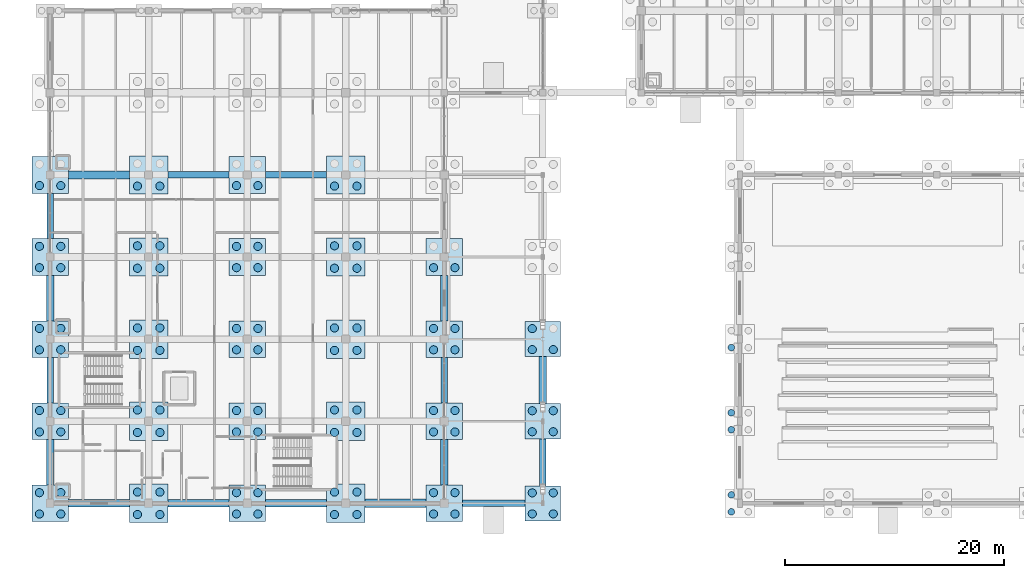
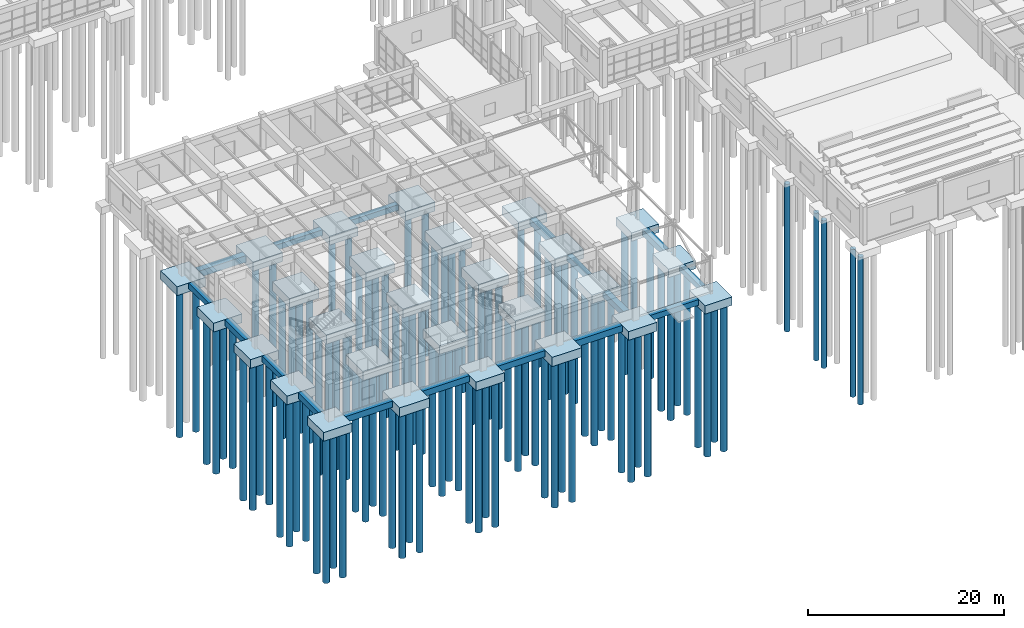
# One storey, part 1 of 93: 102 piles, 44 footings.
"""IFC4 building model written with IfcOpenShell, lengths in metres."""

import ifcopenshell
import ifcopenshell.guid

model = None  # the IFC model being written
_history = None  # IfcOwnerHistory: only IFC2X3 demands one
_inside = {}  # id of a spatial element -> (the spatial element, [elements in it])
_under = {}  # id of a project, library or spatial element -> (it, [spatial elements below it])
_declared = {}  # id of a project -> (the project, [libraries it declares])
_typed = {}  # id of a type object -> (the type object, [elements of that type])
_made_of = {}  # id of a material, layer set ... -> (it, [elements and type objects made of it])


def new_model(schema):
    """Start an empty IFC model of exactly this schema.

    Asked for "IFC4X3", IfcOpenShell would pick the latest addendum, in which some entities
    have other attributes; the version numbers below select the first issue.
    IFC2X3 requires an IfcOwnerHistory on every rooted entity: one is made here for all.
    """
    global model, _history
    if schema == "IFC4X3":
        model = ifcopenshell.file(schema_version=(4, 3, 0, 0))
    else:
        model = ifcopenshell.file(schema=schema)
    _inside.clear()
    _under.clear()
    _declared.clear()
    _typed.clear()
    _made_of.clear()
    _history = None
    if model.schema == "IFC2X3":
        org = make("IfcOrganization", Name="unknown")
        user = make(
            "IfcPersonAndOrganization",
            ThePerson=make("IfcPerson", FamilyName="unknown"),
            TheOrganization=org,
        )
        app = make(
            "IfcApplication",
            ApplicationDeveloper=org,
            Version="unknown",
            ApplicationFullName="unknown",
            ApplicationIdentifier="unknown",
        )
        _history = make(
            "IfcOwnerHistory",
            OwningUser=user,
            OwningApplication=app,
            ChangeAction="ADDED",
            CreationDate=0,
        )
    return model


def make(cls, **values):
    """One entity of the class cls with the attributes given. An attribute that is None is left unset."""
    return model.create_entity(
        cls, **{name: value for name, value in values.items() if value is not None}
    )


def rooted(cls, **values):
    """An entity with a GlobalId (a new one), such as an element, a storey or a relation."""
    return make(cls, GlobalId=ifcopenshell.guid.new(), OwnerHistory=_history, **values)


def si_unit(unit_type, name, prefix=None):
    """IfcSIUnit, for example si_unit("LENGTHUNIT", "METRE", prefix="MILLI")."""
    return make("IfcSIUnit", UnitType=unit_type, Prefix=prefix, Name=name)


def assignment(units):
    """IfcUnitAssignment: the units of a project."""
    return None if units is None else make("IfcUnitAssignment", Units=units)


def point(xyz):
    """IfcCartesianPoint."""
    return None if xyz is None else make("IfcCartesianPoint", Coordinates=xyz)


def direction(xyz):
    """IfcDirection."""
    return None if xyz is None else make("IfcDirection", DirectionRatios=xyz)


def frame(location, z_axis=None, x_axis=None):
    """IfcAxis2Placement3D, a coordinate frame: its origin and axes. An axis left out is left unset."""
    return make(
        "IfcAxis2Placement3D",
        Location=point(location),
        Axis=direction(z_axis),
        RefDirection=direction(x_axis),
    )


def frame_2d(location, x_axis=None):
    """IfcAxis2Placement2D, a coordinate frame in the plane: its origin and x axis."""
    return make(
        "IfcAxis2Placement2D", Location=point(location), RefDirection=direction(x_axis)
    )


def origin():
    """The frame at (0, 0, 0) with its axes left unset."""
    return frame((0.0, 0.0, 0.0))


def origin_2d():
    """The frame at (0, 0) in the plane with its x axis left unset."""
    return frame_2d((0.0, 0.0))


def place(relative_to, where):
    """IfcLocalPlacement: puts the frame where relative to a parent placement (None: the world)."""
    return make(
        "IfcLocalPlacement", PlacementRelTo=relative_to, RelativePlacement=where
    )


def context(
    kind, dimensions, precision=None, world=None, true_north=None, identifier=None
):
    """IfcGeometricRepresentationContext, for example the 3D "Model" context."""
    return make(
        "IfcGeometricRepresentationContext",
        ContextIdentifier=identifier,
        ContextType=kind,
        CoordinateSpaceDimension=dimensions,
        Precision=precision,
        WorldCoordinateSystem=world,
        TrueNorth=true_north,
    )


def subcontext(parent, identifier, kind, view, scale=None):
    """IfcGeometricRepresentationSubContext, for example "Body" below "Model"."""
    return make(
        "IfcGeometricRepresentationSubContext",
        ContextIdentifier=identifier,
        ContextType=kind,
        ParentContext=parent,
        TargetScale=scale,
        TargetView=view,
    )


def project(units=None, contexts=None):
    """IfcProject with its units and contexts."""
    return rooted(
        "IfcProject",
        Name="project",
        RepresentationContexts=contexts,
        UnitsInContext=assignment(units),
    )


def spatial(cls, under=None, at=None, **own):
    """A site, building, storey or space (cls), placed at a placement, below another one or the project."""
    s = rooted(cls, ObjectPlacement=at, **own)
    if under is not None:
        _under.setdefault(under.id(), (under, []))[1].append(s)
    return s


def profile(cls, at=None, kind="AREA", **sizes):
    """A parametric profile (cls). Its sizes go by their IFC names, for example OverallWidth=200.0."""
    return make(cls, ProfileType=kind, Position=at, **sizes)


def rectangle(**sizes):
    """IfcRectangleProfileDef."""
    return profile("IfcRectangleProfileDef", **sizes)


def circle(**sizes):
    """IfcCircleProfileDef."""
    return profile("IfcCircleProfileDef", **sizes)


def extrude(swept, where, along, depth):
    """IfcExtrudedAreaSolid: the profile swept, set in the frame where, extruded along a direction by depth."""
    return make(
        "IfcExtrudedAreaSolid",
        SweptArea=swept,
        Position=where,
        ExtrudedDirection=direction(along),
        Depth=depth,
    )


def shape(context_of_items, identifier, shape_type, items):
    """IfcShapeRepresentation: the items that make up one representation, for example the "Body"."""
    return make(
        "IfcShapeRepresentation",
        ContextOfItems=context_of_items,
        RepresentationIdentifier=identifier,
        RepresentationType=shape_type,
        Items=items,
    )


def material(Name=None, Category=None):
    """IfcMaterial."""
    return make("IfcMaterial", Name=Name, Category=Category)


def material_profile(
    of_material, cross_section, Name=None, Category=None, Priority=None
):
    """IfcMaterialProfile: a cross section and its material."""
    return make(
        "IfcMaterialProfile",
        Name=Name,
        Material=of_material,
        Profile=cross_section,
        Priority=Priority,
        Category=Category,
    )


def profile_set(profiles, Name=None, composite=None):
    """IfcMaterialProfileSet."""
    return make(
        "IfcMaterialProfileSet",
        Name=Name,
        MaterialProfiles=profiles,
        CompositeProfile=composite,
    )


def made_of(thing, what):
    """Note that an element or type object is made of a material, layer set ...; save() writes the relation."""
    if what is not None:
        _made_of.setdefault(what.id(), (what, []))[1].append(thing)
    return thing


def type_object(cls, material=None, **own):
    """A type object (cls), such as IfcWallType, which elements share."""
    return made_of(rooted(cls, **own), material)


def element(
    cls,
    number,
    at=None,
    inside=None,
    cuts=None,
    type_object=None,
    material=None,
    context=None,
    identifier="Body",
    shape_type=None,
    held_by="IfcProductDefinitionShape",
    body=None,
    shapes=None,
    **own,
):
    """One element of the class cls, such as IfcWall. Its Tag is "e" and its number.

    at: its placement. inside: the storey or other place that contains it. cuts: it is an
    opening in that element (IfcRelVoidsElement). A single representation is given by context,
    identifier, shape_type and body (its items); several are given by shapes. held_by: the class
    of the entity that holds the representations. save() writes the other relations.
    """
    e = rooted(cls, Tag="e%d" % number, ObjectPlacement=at, **own)
    if body is not None:
        shapes = [shape(context, identifier, shape_type, body)]
    if shapes is not None:
        e.Representation = make(held_by, Representations=shapes)
    if inside is not None:
        _inside.setdefault(inside.id(), (inside, []))[1].append(e)
    if cuts is not None:
        rooted(
            "IfcRelVoidsElement", RelatingBuildingElement=cuts, RelatedOpeningElement=e
        )
    if type_object is not None:
        _typed.setdefault(type_object.id(), (type_object, []))[1].append(e)
    return made_of(e, material)


def aggregate(whole, parts):
    """IfcRelAggregates: a whole, such as a stair, and the parts it consists of."""
    return rooted("IfcRelAggregates", RelatingObject=whole, RelatedObjects=parts)


def save(model, path):
    """Write the relations noted so far, then the file.

    IfcRelAggregates (storeys below a building ...), IfcRelContainedInSpatialStructure (elements
    in a storey), IfcRelDefinesByType, IfcRelAssociatesMaterial and IfcRelDeclares: one each for
    every whole, place, type object, material and project.
    """
    for whole, parts in _under.values():
        aggregate(whole, parts)
    for where, things in _inside.values():
        rooted(
            "IfcRelContainedInSpatialStructure",
            RelatedElements=things,
            RelatingStructure=where,
        )
    for kind, things in _typed.values():
        rooted("IfcRelDefinesByType", RelatedObjects=things, RelatingType=kind)
    for what, things in _made_of.values():
        rooted("IfcRelAssociatesMaterial", RelatedObjects=things, RelatingMaterial=what)
    for by, libraries in _declared.values():
        rooted("IfcRelDeclares", RelatingContext=by, RelatedDefinitions=libraries)
    model.write(path)


model = new_model("IFC4")

# Units and contexts
model_context = context("Model", 3, precision=1e-05, world=origin(), true_north=direction((0.0, 1.0)))
body_context = subcontext(model_context, "Body", "Model", "MODEL_VIEW")
ifc_project = project(units=[si_unit("LENGTHUNIT", "METRE"), si_unit("AREAUNIT", "SQUARE_METRE"), si_unit("VOLUMEUNIT", "CUBIC_METRE"), si_unit("PLANEANGLEUNIT", "RADIAN"), si_unit("MASSUNIT", "GRAM", prefix="KILO")], contexts=[model_context])

# Site, building, storey
site_placement = place(None, origin())
site = spatial("IfcSite", under=ifc_project, at=site_placement, CompositionType="ELEMENT")
building_placement = place(site_placement, origin())
building = spatial("IfcBuilding", under=site, at=building_placement, Name="Marnridge Secondary College", CompositionType="ELEMENT")
storey_placement = place(building_placement, origin())
storey = spatial("IfcBuildingStorey", under=building, at=storey_placement, Name="L00", CompositionType="ELEMENT", Elevation=0.0)

# Footings
ifc_material_1 = material(Name="Concrete C40/50 (AS 3600 N40, 40 MPa)", Category="concrete")
footing_type_1 = type_object("IfcFootingType", Name="FT-PC-3200", PredefinedType="PILE_CAP", material=ifc_material_1)
for number, where, z_axis, x_axis, name in (
    (1, (45.0, 0.0, -1.2998046875), (0.0, 0.0, 1.0), (1.0, 0.0, 0.0), "Pile cap PC-006"),
    (2, (45.0, 7.5, -1.2998046875), (0.0, 0.0, 1.0), (1.0, 0.0, 0.0), "Pile cap PC-020"),
    (3, (45.0, 15.0, -1.2998046875), (0.0, 0.0, 1.0), (1.0, 0.0, 0.0), "Pile cap PC-032"),
):
    element("IfcFooting", number, at=place(storey_placement, frame(where, z_axis=z_axis, x_axis=x_axis)), inside=storey, type_object=footing_type_1, Name=name, PredefinedType="PILE_CAP", context=body_context, shape_type="SweptSolid", body=[
        extrude(rectangle(XDim=3.199951171875, YDim=3.199951171875, at=origin_2d()), origin(), (0.0, 0.0, 1.0), 1.050048828125),
    ])
ifc_material_2 = material(Name="Concrete C40/50 (AS 3600 N40, 40 MPa)", Category="concrete")
footing_type_2 = type_object("IfcFootingType", Name="FT-PC-3350", PredefinedType="PILE_CAP", material=ifc_material_2)
for number, where, z_axis, x_axis, name in (
    (4, (0.0, 0.0, -1.35009765625), (0.0, 0.0, 1.0), (1.0, 0.0, 0.0), "Pile cap PC-001"),
    (5, (18.0, 0.0, -1.35009765625), (0.0, 0.0, 1.0), (1.0, 0.0, 0.0), "Pile cap PC-003"),
    (6, (36.0, 0.0, -1.35009765625), (0.0, 0.0, 1.0), (1.0, 0.0, 0.0), "Pile cap PC-005"),
    (7, (0.0, 7.5, -1.35009765625), (0.0, 0.0, 1.0), (1.0, 0.0, 0.0), "Pile cap PC-015"),
    (8, (18.0, 7.5, -1.35009765625), (0.0, 0.0, 1.0), (1.0, 0.0, 0.0), "Pile cap PC-017"),
    (9, (36.0, 7.5, -1.35009765625), (0.0, 0.0, 1.0), (1.0, 0.0, 0.0), "Pile cap PC-019"),
    (10, (0.0, 15.0, -1.35009765625), (0.0, 0.0, 1.0), (1.0, 0.0, 0.0), "Pile cap PC-027"),
    (11, (18.0, 15.0, -1.35009765625), (0.0, 0.0, 1.0), (1.0, 0.0, 0.0), "Pile cap PC-029"),
    (12, (36.0, 15.0, -1.35009765625), (0.0, 0.0, 1.0), (1.0, 0.0, 0.0), "Pile cap PC-031"),
    (13, (0.0, 22.5, -1.35009765625), (0.0, 0.0, 1.0), (1.0, 0.0, 0.0), "Pile cap PC-039"),
    (14, (18.0, 22.5, -1.35009765625), (0.0, 0.0, 1.0), (1.0, 0.0, 0.0), "Pile cap PC-041"),
    (15, (36.0, 22.5, -1.35009765625), (0.0, 0.0, 1.0), (1.0, 0.0, 0.0), "Pile cap PC-043"),
    (16, (0.0, 30.0, -1.35009765625), (0.0, 0.0, 1.0), (1.0, 0.0, 0.0), "Pile cap PC-051"),
    (17, (18.0, 30.0, -1.35009765625), (0.0, 0.0, 1.0), (1.0, 0.0, 0.0), "Pile cap PC-053"),
):
    element("IfcFooting", number, at=place(storey_placement, frame(where, z_axis=z_axis, x_axis=x_axis)), inside=storey, type_object=footing_type_2, Name=name, PredefinedType="PILE_CAP", context=body_context, shape_type="SweptSolid", body=[
        extrude(rectangle(XDim=3.35009765625, YDim=3.35009765625, at=origin_2d()), origin(), (0.0, 0.0, 1.0), 1.10009765625),
    ])
ifc_material_3 = material(Name="Concrete C40/50 (AS 3600 N40, 40 MPa)", Category="concrete")
footing_type_3 = type_object("IfcFootingType", Name="FT-PC-3500", PredefinedType="PILE_CAP", material=ifc_material_3)
for number, where, z_axis, x_axis, name in (
    (18, (9.0, 0.0, -1.39990234375), (0.0, 0.0, 1.0), (1.0, 0.0, 0.0), "Pile cap PC-002"),
    (19, (27.0, 0.0, -1.39990234375), (0.0, 0.0, 1.0), (1.0, 0.0, 0.0), "Pile cap PC-004"),
    (20, (9.0, 7.5, -1.39990234375), (0.0, 0.0, 1.0), (1.0, 0.0, 0.0), "Pile cap PC-016"),
    (21, (27.0, 7.5, -1.39990234375), (0.0, 0.0, 1.0), (1.0, 0.0, 0.0), "Pile cap PC-018"),
    (22, (9.0, 15.0, -1.39990234375), (0.0, 0.0, 1.0), (1.0, 0.0, 0.0), "Pile cap PC-028"),
    (23, (27.0, 15.0, -1.39990234375), (0.0, 0.0, 1.0), (1.0, 0.0, 0.0), "Pile cap PC-030"),
    (24, (9.0, 22.5, -1.39990234375), (0.0, 0.0, 1.0), (1.0, 0.0, 0.0), "Pile cap PC-040"),
    (25, (27.0, 22.5, -1.39990234375), (0.0, 0.0, 1.0), (1.0, 0.0, 0.0), "Pile cap PC-042"),
    (26, (9.0, 30.0, -1.39990234375), (0.0, 0.0, 1.0), (1.0, 0.0, 0.0), "Pile cap PC-052"),
    (27, (27.0, 30.0, -1.39990234375), (0.0, 0.0, 1.0), (1.0, 0.0, 0.0), "Pile cap PC-054"),
):
    element("IfcFooting", number, at=place(storey_placement, frame(where, z_axis=z_axis, x_axis=x_axis)), inside=storey, type_object=footing_type_3, Name=name, PredefinedType="PILE_CAP", context=body_context, shape_type="SweptSolid", body=[
        extrude(rectangle(XDim=3.5, YDim=3.5, at=origin_2d()), origin(), (0.0, 0.0, 1.0), 1.14990234375),
    ])
ifc_material_4 = material(Name="Concrete C40/50 (AS 3600 N40, 40 MPa)", Category="concrete")
footing_type_4 = type_object("IfcFootingType", Name="FT-SF-600", PredefinedType="STRIP_FOOTING", material=ifc_material_4)
for number, where, z_axis, x_axis, name in (
    (28, (0.0, 11.25, -0.9501953125), (0.0, 0.0, 1.0), (1.0, 0.0, 0.0), "Ground strip footing SF-003"),
    (29, (0.0, 26.25, -0.9501953125), (0.0, 0.0, 1.0), (1.0, 0.0, 0.0), "Ground strip footing SF-005"),
):
    element("IfcFooting", number, at=place(storey_placement, frame(where, z_axis=z_axis, x_axis=x_axis)), inside=storey, type_object=footing_type_4, Name=name, PredefinedType="STRIP_FOOTING", context=body_context, shape_type="SweptSolid", body=[
        extrude(rectangle(XDim=0.60009765625, YDim=4.14990234375, at=origin_2d()), origin(), (0.0, 0.0, 1.0), 0.699951171875),
    ])
for number, where, z_axis, x_axis, name in (
    (30, (13.53759765625, 30.0, -0.9501953125), (0.0, 0.0, 1.0), (1.0, 0.0, 0.0), "Ground strip footing SF-020"),
    (31, (22.46240234375, 30.0, -0.9501953125), (0.0, 0.0, 1.0), (1.0, 0.0, 0.0), "Ground strip footing SF-026"),
):
    element("IfcFooting", number, at=place(storey_placement, frame(where, z_axis=z_axis, x_axis=x_axis)), inside=storey, type_object=footing_type_4, Name=name, PredefinedType="STRIP_FOOTING", context=body_context, shape_type="SweptSolid", body=[
        extrude(rectangle(XDim=5.574951171875, YDim=0.60009765625, at=origin_2d()), origin(), (0.0, 0.0, 1.0), 0.699951171875),
    ])
footing_1_placement = place(storey_placement, frame((40.53759765625, 0.0, -0.9501953125), z_axis=(0.0, 0.0, 1.0), x_axis=(1.0, 0.0, 0.0)))
element("IfcFooting", 32, at=footing_1_placement, inside=storey, type_object=footing_type_4, Name="Ground strip footing SF-035", PredefinedType="STRIP_FOOTING", context=body_context, shape_type="SweptSolid", body=[
    extrude(rectangle(XDim=5.72509765625, YDim=0.60009765625, at=origin_2d()), origin(), (0.0, 0.0, 1.0), 0.699951171875),
])
footing_2_placement = place(storey_placement, frame((36.0, 11.25, -0.9501953125), z_axis=(0.0, 0.0, 1.0), x_axis=(1.0, 0.0, 0.0)))
element("IfcFooting", 33, at=footing_2_placement, inside=storey, type_object=footing_type_4, Name="Ground strip footing SF-037", PredefinedType="STRIP_FOOTING", context=body_context, shape_type="SweptSolid", body=[
    extrude(rectangle(XDim=0.60009765625, YDim=4.14990234375, at=origin_2d()), origin(), (0.0, 0.0, 1.0), 0.699951171875),
])
footing_3_placement = place(storey_placement, frame((45.0, 3.75, -0.9501953125), z_axis=(0.0, 0.0, 1.0), x_axis=(1.0, 0.0, 0.0)))
element("IfcFooting", 34, at=footing_3_placement, inside=storey, type_object=footing_type_4, Name="Ground strip footing SF-051", PredefinedType="STRIP_FOOTING", context=body_context, shape_type="SweptSolid", body=[
    extrude(rectangle(XDim=0.60009765625, YDim=4.300048828125, at=origin_2d()), origin(), (0.0, 0.0, 1.0), 0.699951171875),
])
ifc_material_5 = material(Name="Concrete C40/50 (AS 3600 N40, 40 MPa)", Category="concrete")
footing_type_5 = type_object("IfcFootingType", Name="FT-SF-680", PredefinedType="STRIP_FOOTING", material=ifc_material_5)
footing_4_placement = place(storey_placement, frame((4.46240234375, 0.0, -1.009765625), z_axis=(0.0, 0.0, 1.0), x_axis=(1.0, 0.0, 0.0)))
element("IfcFooting", 35, at=footing_4_placement, inside=storey, type_object=footing_type_5, Name="Ground strip footing SF-001", PredefinedType="STRIP_FOOTING", context=body_context, shape_type="SweptSolid", body=[
    extrude(rectangle(XDim=5.574951171875, YDim=0.679931640625, at=origin_2d()), origin(), (0.0, 0.0, 1.0), 0.760009765625),
])
for number, where, z_axis, x_axis, name in (
    (36, (0.0, 3.75, -1.009765625), (0.0, 0.0, 1.0), (1.0, 0.0, 0.0), "Ground strip footing SF-002"),
    (37, (0.0, 18.75, -1.009765625), (0.0, 0.0, 1.0), (1.0, 0.0, 0.0), "Ground strip footing SF-004"),
):
    element("IfcFooting", number, at=place(storey_placement, frame(where, z_axis=z_axis, x_axis=x_axis)), inside=storey, type_object=footing_type_5, Name=name, PredefinedType="STRIP_FOOTING", context=body_context, shape_type="SweptSolid", body=[
        extrude(rectangle(XDim=0.679931640625, YDim=4.14990234375, at=origin_2d()), origin(), (0.0, 0.0, 1.0), 0.760009765625),
    ])
for number, where, z_axis, x_axis, name in (
    (38, (13.53759765625, 0.0, -1.009765625), (0.0, 0.0, 1.0), (1.0, 0.0, 0.0), "Ground strip footing SF-019"),
    (39, (22.46240234375, 0.0, -1.009765625), (0.0, 0.0, 1.0), (1.0, 0.0, 0.0), "Ground strip footing SF-025"),
):
    element("IfcFooting", number, at=place(storey_placement, frame(where, z_axis=z_axis, x_axis=x_axis)), inside=storey, type_object=footing_type_5, Name=name, PredefinedType="STRIP_FOOTING", context=body_context, shape_type="SweptSolid", body=[
        extrude(rectangle(XDim=5.574951171875, YDim=0.679931640625, at=origin_2d()), origin(), (0.0, 0.0, 1.0), 0.760009765625),
    ])
for number, where, z_axis, x_axis, name in (
    (40, (36.0, 3.75, -1.009765625), (0.0, 0.0, 1.0), (1.0, 0.0, 0.0), "Ground strip footing SF-036"),
    (41, (36.0, 18.75, -1.009765625), (0.0, 0.0, 1.0), (1.0, 0.0, 0.0), "Ground strip footing SF-038"),
):
    element("IfcFooting", number, at=place(storey_placement, frame(where, z_axis=z_axis, x_axis=x_axis)), inside=storey, type_object=footing_type_5, Name=name, PredefinedType="STRIP_FOOTING", context=body_context, shape_type="SweptSolid", body=[
        extrude(rectangle(XDim=0.679931640625, YDim=4.14990234375, at=origin_2d()), origin(), (0.0, 0.0, 1.0), 0.760009765625),
    ])
footing_5_placement = place(storey_placement, frame((45.0, 11.25, -1.009765625), z_axis=(0.0, 0.0, 1.0), x_axis=(1.0, 0.0, 0.0)))
element("IfcFooting", 42, at=footing_5_placement, inside=storey, type_object=footing_type_5, Name="Ground strip footing SF-052", PredefinedType="STRIP_FOOTING", context=body_context, shape_type="SweptSolid", body=[
    extrude(rectangle(XDim=0.679931640625, YDim=4.300048828125, at=origin_2d()), origin(), (0.0, 0.0, 1.0), 0.760009765625),
])
ifc_material_6 = material(Name="Concrete C40/50 (AS 3600 N40, 40 MPa)", Category="concrete")
footing_type_6 = type_object("IfcFootingType", Name="FT-SF-760", PredefinedType="STRIP_FOOTING", material=ifc_material_6)
for number, where, z_axis, x_axis, name in (
    (43, (4.46240234375, 30.0, -1.06982421875), (0.0, 0.0, 1.0), (1.0, 0.0, 0.0), "Ground strip footing SF-006"),
    (44, (31.53759765625, 0.0, -1.06982421875), (0.0, 0.0, 1.0), (1.0, 0.0, 0.0), "Ground strip footing SF-030"),
):
    element("IfcFooting", number, at=place(storey_placement, frame(where, z_axis=z_axis, x_axis=x_axis)), inside=storey, type_object=footing_type_6, Name=name, PredefinedType="STRIP_FOOTING", context=body_context, shape_type="SweptSolid", body=[
        extrude(rectangle(XDim=5.574951171875, YDim=0.760009765625, at=origin_2d()), origin(), (0.0, 0.0, 1.0), 0.820068359375),
    ])

# Piles
ifc_material_7 = material(Name="Concrete C40/50 (AS 3600 N40, 40 MPa)", Category="concrete")
ifc_material_profile_1 = material_profile(ifc_material_7, circle(Radius=0.300048828125, at=origin_2d()), Name="PILE D600")
ifc_profile_set_1 = profile_set([ifc_material_profile_1], Name="Concrete C40/50 (AS 3600 N40, 40 MPa)")
pile_type_1 = type_object("IfcPileType", Name="PL-D600-N40", PredefinedType="BORED", material=ifc_profile_set_1)
for number, where, z_axis, x_axis, name in (
    (45, (62.22509765625, -0.77490234375, -1.070068359375), (0.0, 0.0, -1.0), (1.0, 0.0, 0.0), "Bored pile PL-025"),
    (46, (62.22509765625, 0.77490234375, -1.070068359375), (0.0, 0.0, -1.0), (1.0, 0.0, 0.0), "Bored pile PL-027"),
    (47, (62.22509765625, 6.72509765625, -1.070068359375), (0.0, 0.0, -1.0), (1.0, 0.0, 0.0), "Bored pile PL-081"),
    (48, (62.22509765625, 8.27490234375, -1.070068359375), (0.0, 0.0, -1.0), (1.0, 0.0, 0.0), "Bored pile PL-083"),
    (49, (62.22509765625, 14.22509765625, -1.070068359375), (0.0, 0.0, -1.0), (1.0, 0.0, 0.0), "Bored pile PL-127"),
):
    element("IfcPile", number, at=place(storey_placement, frame(where, z_axis=z_axis, x_axis=x_axis)), inside=storey, type_object=pile_type_1, Name=name, PredefinedType="BORED", context=body_context, shape_type="SweptSolid", body=[
        extrude(circle(Radius=0.300048828125, at=origin_2d()), origin(), (0.0, 0.0, 1.0), 18.429931640625),
    ])
ifc_material_8 = material(Name="Concrete C40/50 (AS 3600 N40, 40 MPa)", Category="concrete")
ifc_material_profile_2 = material_profile(ifc_material_8, circle(Radius=0.375, at=origin_2d()), Name="PILE D750")
ifc_profile_set_2 = profile_set([ifc_material_profile_2], Name="Concrete C40/50 (AS 3600 N40, 40 MPa)")
pile_type_2 = type_object("IfcPileType", Name="PL-D750-N40", PredefinedType="BORED", material=ifc_profile_set_2)
for number, where, z_axis, x_axis, name in (
    (50, (-0.97509765625, -0.97509765625, -1.25), (0.0, 0.0, -1.0), (1.0, 0.0, 0.0), "Bored pile PL-001"),
    (51, (0.97509765625, -0.97509765625, -1.25), (0.0, 0.0, -1.0), (1.0, 0.0, 0.0), "Bored pile PL-002"),
    (52, (-0.97509765625, 0.97509765625, -1.25), (0.0, 0.0, -1.0), (1.0, 0.0, 0.0), "Bored pile PL-003"),
    (53, (0.97509765625, 0.97509765625, -1.25), (0.0, 0.0, -1.0), (1.0, 0.0, 0.0), "Bored pile PL-004"),
):
    element("IfcPile", number, at=place(storey_placement, frame(where, z_axis=z_axis, x_axis=x_axis)), inside=storey, type_object=pile_type_2, Name=name, PredefinedType="BORED", context=body_context, shape_type="SweptSolid", body=[
        extrude(circle(Radius=0.375, at=origin_2d()), origin(), (0.0, 0.0, 1.0), 18.25),
    ])
for number, where, z_axis, x_axis, name in (
    (54, (7.97509765625, -1.02490234375, -1.300048828125), (0.0, 0.0, -1.0), (1.0, 0.0, 0.0), "Bored pile PL-005"),
    (55, (10.02490234375, -1.02490234375, -1.300048828125), (0.0, 0.0, -1.0), (1.0, 0.0, 0.0), "Bored pile PL-006"),
    (56, (7.97509765625, 1.02490234375, -1.300048828125), (0.0, 0.0, -1.0), (1.0, 0.0, 0.0), "Bored pile PL-007"),
    (57, (10.02490234375, 1.02490234375, -1.300048828125), (0.0, 0.0, -1.0), (1.0, 0.0, 0.0), "Bored pile PL-008"),
):
    element("IfcPile", number, at=place(storey_placement, frame(where, z_axis=z_axis, x_axis=x_axis)), inside=storey, type_object=pile_type_2, Name=name, PredefinedType="BORED", context=body_context, shape_type="SweptSolid", body=[
        extrude(circle(Radius=0.375, at=origin_2d()), origin(), (0.0, 0.0, 1.0), 18.199951171875),
    ])
for number, where, z_axis, x_axis, name in (
    (58, (17.02490234375, -0.97509765625, -1.25), (0.0, 0.0, -1.0), (1.0, 0.0, 0.0), "Bored pile PL-009"),
    (59, (18.97509765625, -0.97509765625, -1.25), (0.0, 0.0, -1.0), (1.0, 0.0, 0.0), "Bored pile PL-010"),
    (60, (17.02490234375, 0.97509765625, -1.25), (0.0, 0.0, -1.0), (1.0, 0.0, 0.0), "Bored pile PL-011"),
    (61, (18.97509765625, 0.97509765625, -1.25), (0.0, 0.0, -1.0), (1.0, 0.0, 0.0), "Bored pile PL-012"),
):
    element("IfcPile", number, at=place(storey_placement, frame(where, z_axis=z_axis, x_axis=x_axis)), inside=storey, type_object=pile_type_2, Name=name, PredefinedType="BORED", context=body_context, shape_type="SweptSolid", body=[
        extrude(circle(Radius=0.375, at=origin_2d()), origin(), (0.0, 0.0, 1.0), 18.25),
    ])
for number, where, z_axis, x_axis, name in (
    (62, (25.97509765625, -1.02490234375, -1.300048828125), (0.0, 0.0, -1.0), (1.0, 0.0, 0.0), "Bored pile PL-013"),
    (63, (28.02490234375, -1.02490234375, -1.300048828125), (0.0, 0.0, -1.0), (1.0, 0.0, 0.0), "Bored pile PL-014"),
    (64, (25.97509765625, 1.02490234375, -1.300048828125), (0.0, 0.0, -1.0), (1.0, 0.0, 0.0), "Bored pile PL-015"),
    (65, (28.02490234375, 1.02490234375, -1.300048828125), (0.0, 0.0, -1.0), (1.0, 0.0, 0.0), "Bored pile PL-016"),
):
    element("IfcPile", number, at=place(storey_placement, frame(where, z_axis=z_axis, x_axis=x_axis)), inside=storey, type_object=pile_type_2, Name=name, PredefinedType="BORED", context=body_context, shape_type="SweptSolid", body=[
        extrude(circle(Radius=0.375, at=origin_2d()), origin(), (0.0, 0.0, 1.0), 18.199951171875),
    ])
for number, where, z_axis, x_axis, name in (
    (66, (35.02490234375, -0.97509765625, -1.25), (0.0, 0.0, -1.0), (1.0, 0.0, 0.0), "Bored pile PL-017"),
    (67, (36.97509765625, -0.97509765625, -1.25), (0.0, 0.0, -1.0), (1.0, 0.0, 0.0), "Bored pile PL-018"),
    (68, (35.02490234375, 0.97509765625, -1.25), (0.0, 0.0, -1.0), (1.0, 0.0, 0.0), "Bored pile PL-019"),
    (69, (36.97509765625, 0.97509765625, -1.25), (0.0, 0.0, -1.0), (1.0, 0.0, 0.0), "Bored pile PL-020"),
):
    element("IfcPile", number, at=place(storey_placement, frame(where, z_axis=z_axis, x_axis=x_axis)), inside=storey, type_object=pile_type_2, Name=name, PredefinedType="BORED", context=body_context, shape_type="SweptSolid", body=[
        extrude(circle(Radius=0.375, at=origin_2d()), origin(), (0.0, 0.0, 1.0), 18.25),
    ])
for number, where, z_axis, x_axis, name in (
    (70, (44.0400390625, -0.9599609375, -1.199951171875), (0.0, 0.0, -1.0), (1.0, 0.0, 0.0), "Bored pile PL-021"),
    (71, (45.9599609375, -0.9599609375, -1.199951171875), (0.0, 0.0, -1.0), (1.0, 0.0, 0.0), "Bored pile PL-022"),
    (72, (44.0400390625, 0.9599609375, -1.199951171875), (0.0, 0.0, -1.0), (1.0, 0.0, 0.0), "Bored pile PL-023"),
    (73, (45.9599609375, 0.9599609375, -1.199951171875), (0.0, 0.0, -1.0), (1.0, 0.0, 0.0), "Bored pile PL-024"),
):
    element("IfcPile", number, at=place(storey_placement, frame(where, z_axis=z_axis, x_axis=x_axis)), inside=storey, type_object=pile_type_2, Name=name, PredefinedType="BORED", context=body_context, shape_type="SweptSolid", body=[
        extrude(circle(Radius=0.375, at=origin_2d()), origin(), (0.0, 0.0, 1.0), 18.300048828125),
    ])
for number, where, z_axis, x_axis, name in (
    (74, (-0.97509765625, 6.52490234375, -1.25), (0.0, 0.0, -1.0), (1.0, 0.0, 0.0), "Bored pile PL-057"),
    (75, (0.97509765625, 6.52490234375, -1.25), (0.0, 0.0, -1.0), (1.0, 0.0, 0.0), "Bored pile PL-058"),
    (76, (-0.97509765625, 8.47509765625, -1.25), (0.0, 0.0, -1.0), (1.0, 0.0, 0.0), "Bored pile PL-059"),
    (77, (0.97509765625, 8.47509765625, -1.25), (0.0, 0.0, -1.0), (1.0, 0.0, 0.0), "Bored pile PL-060"),
):
    element("IfcPile", number, at=place(storey_placement, frame(where, z_axis=z_axis, x_axis=x_axis)), inside=storey, type_object=pile_type_2, Name=name, PredefinedType="BORED", context=body_context, shape_type="SweptSolid", body=[
        extrude(circle(Radius=0.375, at=origin_2d()), origin(), (0.0, 0.0, 1.0), 18.25),
    ])
for number, where, z_axis, x_axis, name in (
    (78, (7.97509765625, 6.47509765625, -1.300048828125), (0.0, 0.0, -1.0), (1.0, 0.0, 0.0), "Bored pile PL-061"),
    (79, (10.02490234375, 6.47509765625, -1.300048828125), (0.0, 0.0, -1.0), (1.0, 0.0, 0.0), "Bored pile PL-062"),
    (80, (7.97509765625, 8.52490234375, -1.300048828125), (0.0, 0.0, -1.0), (1.0, 0.0, 0.0), "Bored pile PL-063"),
    (81, (10.02490234375, 8.52490234375, -1.300048828125), (0.0, 0.0, -1.0), (1.0, 0.0, 0.0), "Bored pile PL-064"),
):
    element("IfcPile", number, at=place(storey_placement, frame(where, z_axis=z_axis, x_axis=x_axis)), inside=storey, type_object=pile_type_2, Name=name, PredefinedType="BORED", context=body_context, shape_type="SweptSolid", body=[
        extrude(circle(Radius=0.375, at=origin_2d()), origin(), (0.0, 0.0, 1.0), 18.199951171875),
    ])
for number, where, z_axis, x_axis, name in (
    (82, (17.02490234375, 6.52490234375, -1.25), (0.0, 0.0, -1.0), (1.0, 0.0, 0.0), "Bored pile PL-065"),
    (83, (18.97509765625, 6.52490234375, -1.25), (0.0, 0.0, -1.0), (1.0, 0.0, 0.0), "Bored pile PL-066"),
    (84, (17.02490234375, 8.47509765625, -1.25), (0.0, 0.0, -1.0), (1.0, 0.0, 0.0), "Bored pile PL-067"),
    (85, (18.97509765625, 8.47509765625, -1.25), (0.0, 0.0, -1.0), (1.0, 0.0, 0.0), "Bored pile PL-068"),
):
    element("IfcPile", number, at=place(storey_placement, frame(where, z_axis=z_axis, x_axis=x_axis)), inside=storey, type_object=pile_type_2, Name=name, PredefinedType="BORED", context=body_context, shape_type="SweptSolid", body=[
        extrude(circle(Radius=0.375, at=origin_2d()), origin(), (0.0, 0.0, 1.0), 18.25),
    ])
for number, where, z_axis, x_axis, name in (
    (86, (25.97509765625, 6.47509765625, -1.300048828125), (0.0, 0.0, -1.0), (1.0, 0.0, 0.0), "Bored pile PL-069"),
    (87, (28.02490234375, 6.47509765625, -1.300048828125), (0.0, 0.0, -1.0), (1.0, 0.0, 0.0), "Bored pile PL-070"),
    (88, (25.97509765625, 8.52490234375, -1.300048828125), (0.0, 0.0, -1.0), (1.0, 0.0, 0.0), "Bored pile PL-071"),
    (89, (28.02490234375, 8.52490234375, -1.300048828125), (0.0, 0.0, -1.0), (1.0, 0.0, 0.0), "Bored pile PL-072"),
):
    element("IfcPile", number, at=place(storey_placement, frame(where, z_axis=z_axis, x_axis=x_axis)), inside=storey, type_object=pile_type_2, Name=name, PredefinedType="BORED", context=body_context, shape_type="SweptSolid", body=[
        extrude(circle(Radius=0.375, at=origin_2d()), origin(), (0.0, 0.0, 1.0), 18.199951171875),
    ])
for number, where, z_axis, x_axis, name in (
    (90, (35.02490234375, 6.52490234375, -1.25), (0.0, 0.0, -1.0), (1.0, 0.0, 0.0), "Bored pile PL-073"),
    (91, (36.97509765625, 6.52490234375, -1.25), (0.0, 0.0, -1.0), (1.0, 0.0, 0.0), "Bored pile PL-074"),
    (92, (35.02490234375, 8.47509765625, -1.25), (0.0, 0.0, -1.0), (1.0, 0.0, 0.0), "Bored pile PL-075"),
    (93, (36.97509765625, 8.47509765625, -1.25), (0.0, 0.0, -1.0), (1.0, 0.0, 0.0), "Bored pile PL-076"),
):
    element("IfcPile", number, at=place(storey_placement, frame(where, z_axis=z_axis, x_axis=x_axis)), inside=storey, type_object=pile_type_2, Name=name, PredefinedType="BORED", context=body_context, shape_type="SweptSolid", body=[
        extrude(circle(Radius=0.375, at=origin_2d()), origin(), (0.0, 0.0, 1.0), 18.25),
    ])
for number, where, z_axis, x_axis, name in (
    (94, (44.0400390625, 6.5400390625, -1.199951171875), (0.0, 0.0, -1.0), (1.0, 0.0, 0.0), "Bored pile PL-077"),
    (95, (45.9599609375, 6.5400390625, -1.199951171875), (0.0, 0.0, -1.0), (1.0, 0.0, 0.0), "Bored pile PL-078"),
    (96, (44.0400390625, 8.4599609375, -1.199951171875), (0.0, 0.0, -1.0), (1.0, 0.0, 0.0), "Bored pile PL-079"),
    (97, (45.9599609375, 8.4599609375, -1.199951171875), (0.0, 0.0, -1.0), (1.0, 0.0, 0.0), "Bored pile PL-080"),
):
    element("IfcPile", number, at=place(storey_placement, frame(where, z_axis=z_axis, x_axis=x_axis)), inside=storey, type_object=pile_type_2, Name=name, PredefinedType="BORED", context=body_context, shape_type="SweptSolid", body=[
        extrude(circle(Radius=0.375, at=origin_2d()), origin(), (0.0, 0.0, 1.0), 18.300048828125),
    ])
for number, where, z_axis, x_axis, name in (
    (98, (-0.97509765625, 14.02490234375, -1.25), (0.0, 0.0, -1.0), (1.0, 0.0, 0.0), "Bored pile PL-103"),
    (99, (0.97509765625, 14.02490234375, -1.25), (0.0, 0.0, -1.0), (1.0, 0.0, 0.0), "Bored pile PL-104"),
    (100, (-0.97509765625, 15.97509765625, -1.25), (0.0, 0.0, -1.0), (1.0, 0.0, 0.0), "Bored pile PL-105"),
    (101, (0.97509765625, 15.97509765625, -1.25), (0.0, 0.0, -1.0), (1.0, 0.0, 0.0), "Bored pile PL-106"),
):
    element("IfcPile", number, at=place(storey_placement, frame(where, z_axis=z_axis, x_axis=x_axis)), inside=storey, type_object=pile_type_2, Name=name, PredefinedType="BORED", context=body_context, shape_type="SweptSolid", body=[
        extrude(circle(Radius=0.375, at=origin_2d()), origin(), (0.0, 0.0, 1.0), 18.25),
    ])
for number, where, z_axis, x_axis, name in (
    (102, (7.97509765625, 13.97509765625, -1.300048828125), (0.0, 0.0, -1.0), (1.0, 0.0, 0.0), "Bored pile PL-107"),
    (103, (10.02490234375, 13.97509765625, -1.300048828125), (0.0, 0.0, -1.0), (1.0, 0.0, 0.0), "Bored pile PL-108"),
    (104, (7.97509765625, 16.02490234375, -1.300048828125), (0.0, 0.0, -1.0), (1.0, 0.0, 0.0), "Bored pile PL-109"),
    (105, (10.02490234375, 16.02490234375, -1.300048828125), (0.0, 0.0, -1.0), (1.0, 0.0, 0.0), "Bored pile PL-110"),
):
    element("IfcPile", number, at=place(storey_placement, frame(where, z_axis=z_axis, x_axis=x_axis)), inside=storey, type_object=pile_type_2, Name=name, PredefinedType="BORED", context=body_context, shape_type="SweptSolid", body=[
        extrude(circle(Radius=0.375, at=origin_2d()), origin(), (0.0, 0.0, 1.0), 18.199951171875),
    ])
for number, where, z_axis, x_axis, name in (
    (106, (17.02490234375, 14.02490234375, -1.25), (0.0, 0.0, -1.0), (1.0, 0.0, 0.0), "Bored pile PL-111"),
    (107, (18.97509765625, 14.02490234375, -1.25), (0.0, 0.0, -1.0), (1.0, 0.0, 0.0), "Bored pile PL-112"),
    (108, (17.02490234375, 15.97509765625, -1.25), (0.0, 0.0, -1.0), (1.0, 0.0, 0.0), "Bored pile PL-113"),
    (109, (18.97509765625, 15.97509765625, -1.25), (0.0, 0.0, -1.0), (1.0, 0.0, 0.0), "Bored pile PL-114"),
):
    element("IfcPile", number, at=place(storey_placement, frame(where, z_axis=z_axis, x_axis=x_axis)), inside=storey, type_object=pile_type_2, Name=name, PredefinedType="BORED", context=body_context, shape_type="SweptSolid", body=[
        extrude(circle(Radius=0.375, at=origin_2d()), origin(), (0.0, 0.0, 1.0), 18.25),
    ])
for number, where, z_axis, x_axis, name in (
    (110, (25.97509765625, 13.97509765625, -1.300048828125), (0.0, 0.0, -1.0), (1.0, 0.0, 0.0), "Bored pile PL-115"),
    (111, (28.02490234375, 13.97509765625, -1.300048828125), (0.0, 0.0, -1.0), (1.0, 0.0, 0.0), "Bored pile PL-116"),
    (112, (25.97509765625, 16.02490234375, -1.300048828125), (0.0, 0.0, -1.0), (1.0, 0.0, 0.0), "Bored pile PL-117"),
    (113, (28.02490234375, 16.02490234375, -1.300048828125), (0.0, 0.0, -1.0), (1.0, 0.0, 0.0), "Bored pile PL-118"),
):
    element("IfcPile", number, at=place(storey_placement, frame(where, z_axis=z_axis, x_axis=x_axis)), inside=storey, type_object=pile_type_2, Name=name, PredefinedType="BORED", context=body_context, shape_type="SweptSolid", body=[
        extrude(circle(Radius=0.375, at=origin_2d()), origin(), (0.0, 0.0, 1.0), 18.199951171875),
    ])
for number, where, z_axis, x_axis, name in (
    (114, (35.02490234375, 14.02490234375, -1.25), (0.0, 0.0, -1.0), (1.0, 0.0, 0.0), "Bored pile PL-119"),
    (115, (36.97509765625, 14.02490234375, -1.25), (0.0, 0.0, -1.0), (1.0, 0.0, 0.0), "Bored pile PL-120"),
    (116, (35.02490234375, 15.97509765625, -1.25), (0.0, 0.0, -1.0), (1.0, 0.0, 0.0), "Bored pile PL-121"),
    (117, (36.97509765625, 15.97509765625, -1.25), (0.0, 0.0, -1.0), (1.0, 0.0, 0.0), "Bored pile PL-122"),
):
    element("IfcPile", number, at=place(storey_placement, frame(where, z_axis=z_axis, x_axis=x_axis)), inside=storey, type_object=pile_type_2, Name=name, PredefinedType="BORED", context=body_context, shape_type="SweptSolid", body=[
        extrude(circle(Radius=0.375, at=origin_2d()), origin(), (0.0, 0.0, 1.0), 18.25),
    ])
for number, where, z_axis, x_axis, name in (
    (118, (44.0400390625, 14.0400390625, -1.199951171875), (0.0, 0.0, -1.0), (1.0, 0.0, 0.0), "Bored pile PL-123"),
    (119, (45.9599609375, 14.0400390625, -1.199951171875), (0.0, 0.0, -1.0), (1.0, 0.0, 0.0), "Bored pile PL-124"),
    (120, (44.0400390625, 15.9599609375, -1.199951171875), (0.0, 0.0, -1.0), (1.0, 0.0, 0.0), "Bored pile PL-125"),
):
    element("IfcPile", number, at=place(storey_placement, frame(where, z_axis=z_axis, x_axis=x_axis)), inside=storey, type_object=pile_type_2, Name=name, PredefinedType="BORED", context=body_context, shape_type="SweptSolid", body=[
        extrude(circle(Radius=0.375, at=origin_2d()), origin(), (0.0, 0.0, 1.0), 18.300048828125),
    ])
for number, where, z_axis, x_axis, name in (
    (121, (-0.97509765625, 21.52490234375, -1.25), (0.0, 0.0, -1.0), (1.0, 0.0, 0.0), "Bored pile PL-149"),
    (122, (0.97509765625, 21.52490234375, -1.25), (0.0, 0.0, -1.0), (1.0, 0.0, 0.0), "Bored pile PL-150"),
    (123, (-0.97509765625, 23.47509765625, -1.25), (0.0, 0.0, -1.0), (1.0, 0.0, 0.0), "Bored pile PL-151"),
    (124, (0.97509765625, 23.47509765625, -1.25), (0.0, 0.0, -1.0), (1.0, 0.0, 0.0), "Bored pile PL-152"),
):
    element("IfcPile", number, at=place(storey_placement, frame(where, z_axis=z_axis, x_axis=x_axis)), inside=storey, type_object=pile_type_2, Name=name, PredefinedType="BORED", context=body_context, shape_type="SweptSolid", body=[
        extrude(circle(Radius=0.375, at=origin_2d()), origin(), (0.0, 0.0, 1.0), 18.25),
    ])
for number, where, z_axis, x_axis, name in (
    (125, (7.97509765625, 21.47509765625, -1.300048828125), (0.0, 0.0, -1.0), (1.0, 0.0, 0.0), "Bored pile PL-153"),
    (126, (10.02490234375, 21.47509765625, -1.300048828125), (0.0, 0.0, -1.0), (1.0, 0.0, 0.0), "Bored pile PL-154"),
    (127, (7.97509765625, 23.52490234375, -1.300048828125), (0.0, 0.0, -1.0), (1.0, 0.0, 0.0), "Bored pile PL-155"),
    (128, (10.02490234375, 23.52490234375, -1.300048828125), (0.0, 0.0, -1.0), (1.0, 0.0, 0.0), "Bored pile PL-156"),
):
    element("IfcPile", number, at=place(storey_placement, frame(where, z_axis=z_axis, x_axis=x_axis)), inside=storey, type_object=pile_type_2, Name=name, PredefinedType="BORED", context=body_context, shape_type="SweptSolid", body=[
        extrude(circle(Radius=0.375, at=origin_2d()), origin(), (0.0, 0.0, 1.0), 18.199951171875),
    ])
for number, where, z_axis, x_axis, name in (
    (129, (17.02490234375, 21.52490234375, -1.25), (0.0, 0.0, -1.0), (1.0, 0.0, 0.0), "Bored pile PL-157"),
    (130, (18.97509765625, 21.52490234375, -1.25), (0.0, 0.0, -1.0), (1.0, 0.0, 0.0), "Bored pile PL-158"),
    (131, (17.02490234375, 23.47509765625, -1.25), (0.0, 0.0, -1.0), (1.0, 0.0, 0.0), "Bored pile PL-159"),
    (132, (18.97509765625, 23.47509765625, -1.25), (0.0, 0.0, -1.0), (1.0, 0.0, 0.0), "Bored pile PL-160"),
):
    element("IfcPile", number, at=place(storey_placement, frame(where, z_axis=z_axis, x_axis=x_axis)), inside=storey, type_object=pile_type_2, Name=name, PredefinedType="BORED", context=body_context, shape_type="SweptSolid", body=[
        extrude(circle(Radius=0.375, at=origin_2d()), origin(), (0.0, 0.0, 1.0), 18.25),
    ])
for number, where, z_axis, x_axis, name in (
    (133, (25.97509765625, 21.47509765625, -1.300048828125), (0.0, 0.0, -1.0), (1.0, 0.0, 0.0), "Bored pile PL-161"),
    (134, (28.02490234375, 21.47509765625, -1.300048828125), (0.0, 0.0, -1.0), (1.0, 0.0, 0.0), "Bored pile PL-162"),
    (135, (25.97509765625, 23.52490234375, -1.300048828125), (0.0, 0.0, -1.0), (1.0, 0.0, 0.0), "Bored pile PL-163"),
    (136, (28.02490234375, 23.52490234375, -1.300048828125), (0.0, 0.0, -1.0), (1.0, 0.0, 0.0), "Bored pile PL-164"),
):
    element("IfcPile", number, at=place(storey_placement, frame(where, z_axis=z_axis, x_axis=x_axis)), inside=storey, type_object=pile_type_2, Name=name, PredefinedType="BORED", context=body_context, shape_type="SweptSolid", body=[
        extrude(circle(Radius=0.375, at=origin_2d()), origin(), (0.0, 0.0, 1.0), 18.199951171875),
    ])
for number, where, z_axis, x_axis, name in (
    (137, (35.02490234375, 21.52490234375, -1.25), (0.0, 0.0, -1.0), (1.0, 0.0, 0.0), "Bored pile PL-165"),
    (138, (36.97509765625, 21.52490234375, -1.25), (0.0, 0.0, -1.0), (1.0, 0.0, 0.0), "Bored pile PL-166"),
    (139, (-0.97509765625, 29.02490234375, -1.25), (0.0, 0.0, -1.0), (1.0, 0.0, 0.0), "Bored pile PL-195"),
    (140, (0.97509765625, 29.02490234375, -1.25), (0.0, 0.0, -1.0), (1.0, 0.0, 0.0), "Bored pile PL-196"),
):
    element("IfcPile", number, at=place(storey_placement, frame(where, z_axis=z_axis, x_axis=x_axis)), inside=storey, type_object=pile_type_2, Name=name, PredefinedType="BORED", context=body_context, shape_type="SweptSolid", body=[
        extrude(circle(Radius=0.375, at=origin_2d()), origin(), (0.0, 0.0, 1.0), 18.25),
    ])
for number, where, z_axis, x_axis, name in (
    (141, (7.97509765625, 28.97509765625, -1.300048828125), (0.0, 0.0, -1.0), (1.0, 0.0, 0.0), "Bored pile PL-199"),
    (142, (10.02490234375, 28.97509765625, -1.300048828125), (0.0, 0.0, -1.0), (1.0, 0.0, 0.0), "Bored pile PL-200"),
):
    element("IfcPile", number, at=place(storey_placement, frame(where, z_axis=z_axis, x_axis=x_axis)), inside=storey, type_object=pile_type_2, Name=name, PredefinedType="BORED", context=body_context, shape_type="SweptSolid", body=[
        extrude(circle(Radius=0.375, at=origin_2d()), origin(), (0.0, 0.0, 1.0), 18.199951171875),
    ])
for number, where, z_axis, x_axis, name in (
    (143, (17.02490234375, 29.02490234375, -1.25), (0.0, 0.0, -1.0), (1.0, 0.0, 0.0), "Bored pile PL-203"),
    (144, (18.97509765625, 29.02490234375, -1.25), (0.0, 0.0, -1.0), (1.0, 0.0, 0.0), "Bored pile PL-204"),
):
    element("IfcPile", number, at=place(storey_placement, frame(where, z_axis=z_axis, x_axis=x_axis)), inside=storey, type_object=pile_type_2, Name=name, PredefinedType="BORED", context=body_context, shape_type="SweptSolid", body=[
        extrude(circle(Radius=0.375, at=origin_2d()), origin(), (0.0, 0.0, 1.0), 18.25),
    ])
for number, where, z_axis, x_axis, name in (
    (145, (25.97509765625, 28.97509765625, -1.300048828125), (0.0, 0.0, -1.0), (1.0, 0.0, 0.0), "Bored pile PL-207"),
    (146, (28.02490234375, 28.97509765625, -1.300048828125), (0.0, 0.0, -1.0), (1.0, 0.0, 0.0), "Bored pile PL-208"),
):
    element("IfcPile", number, at=place(storey_placement, frame(where, z_axis=z_axis, x_axis=x_axis)), inside=storey, type_object=pile_type_2, Name=name, PredefinedType="BORED", context=body_context, shape_type="SweptSolid", body=[
        extrude(circle(Radius=0.375, at=origin_2d()), origin(), (0.0, 0.0, 1.0), 18.199951171875),
    ])

save(model, "model.ifc")
